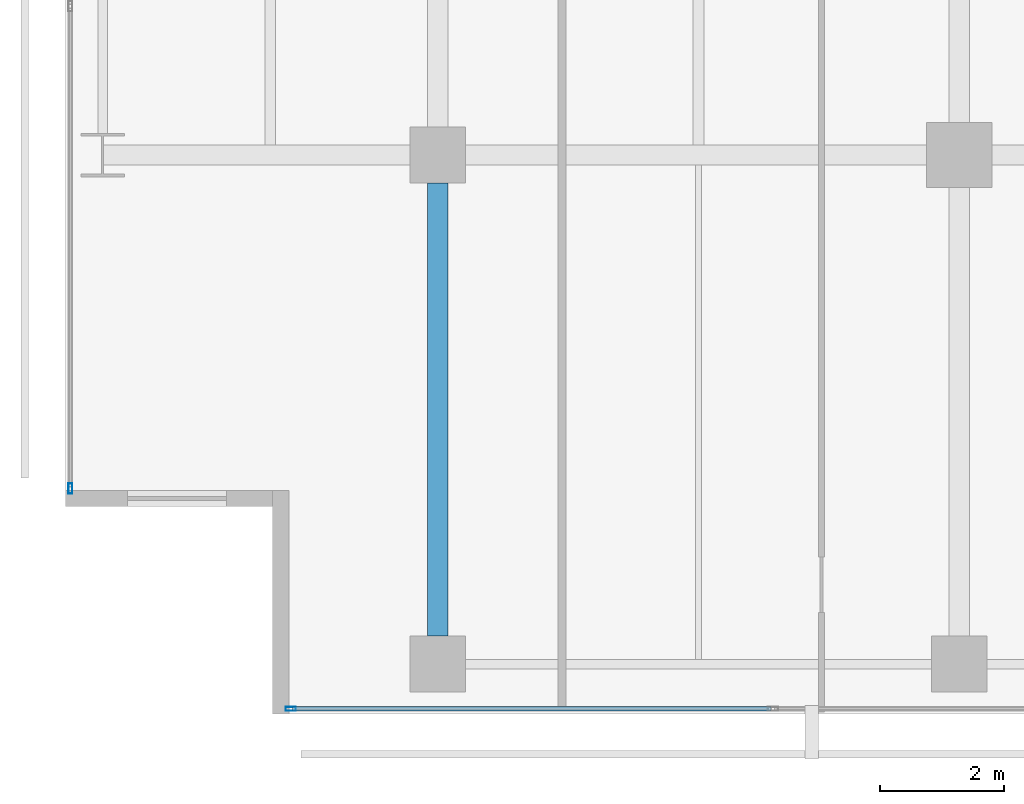
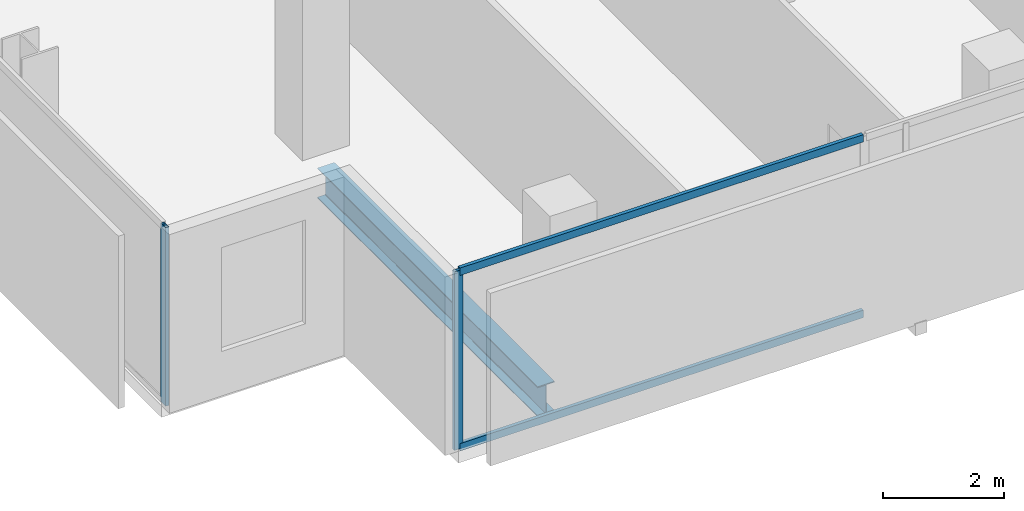
# One storey, part 2 of 40: 4 members, 1 beam, 2 elements without a shape of their own.
"""IFC4 building model written with IfcOpenShell, lengths in metres."""

from ifc_helpers import new_model, si_unit, direction, frame, origin, origin_2d, place, context, subcontext, project, spatial, hollow_rectangle, i_section, extrude, material, layer, layer_set, material_profile, profile_set, type_object, element, aggregate, save


model = new_model("IFC4")

# Units and contexts
model_context = context("Model", 3, precision=1e-05, world=origin(), true_north=direction((0.0, 1.0)))
body_context = subcontext(model_context, "Body", "Model", "MODEL_VIEW")
ifc_project = project(units=[si_unit("LENGTHUNIT", "METRE"), si_unit("AREAUNIT", "SQUARE_METRE"), si_unit("VOLUMEUNIT", "CUBIC_METRE"), si_unit("PLANEANGLEUNIT", "RADIAN"), si_unit("MASSUNIT", "GRAM", prefix="KILO")], contexts=[model_context])

# Site, building, storey
site_placement = place(None, origin())
site = spatial("IfcSite", under=ifc_project, at=site_placement, CompositionType="ELEMENT")
building_placement = place(site_placement, origin())
building = spatial("IfcBuilding", under=site, at=building_placement, Name="Maruvema Waterfront Hotel and Observation Tower", CompositionType="ELEMENT")
storey_placement = place(building_placement, frame((0.0, 0.0, 100.10009765625)))
storey = spatial("IfcBuildingStorey", under=building, at=storey_placement, Name="L24", CompositionType="ELEMENT", Elevation=100.10009765625)

# Curtain wall, members
ifc_material_1 = material(Name="Anodised bronze aluminium and solar-control low-E IGU", Category="aluminium")
ifc_layer = layer(ifc_material_1, 0.159912109375, Name="Zone 1 Bronze Inner Thermal Curtain Wall System CW-02")
ifc_layer_set = layer_set([ifc_layer], Name="Anodised bronze aluminium and solar-control low-E IGU")
curtain_wall_type = type_object("IfcCurtainWallType", Name="Zone 1 Bronze Inner Thermal Curtain Wall System CW-02", PredefinedType="USERDEFINED", material=ifc_layer_set)
curtain_wall_1_placement = place(storey_placement, origin())
curtain_wall_1 = element("IfcCurtainWall", 1, at=curtain_wall_1_placement, inside=storey, type_object=curtain_wall_type, Name="L24 Curtain Wall CW-L24-S", ObjectType="UNITISED CURTAIN WALL", PredefinedType="USERDEFINED")
ifc_material_2 = material(Name="Anodised architectural bronze aluminium", Category="aluminium")
ifc_material_profile_1 = material_profile(ifc_material_2, hollow_rectangle(XDim=0.070068359375, YDim=0.14990234375, WallThickness=0.00390625, at=origin_2d()), Name="ALU-T70x150")
ifc_profile_set_1 = profile_set([ifc_material_profile_1], Name="Anodised architectural bronze aluminium")
member_type_1 = type_object("IfcMemberType", Name="Curtain Wall Horizontal Transom ALU-T70x150", PredefinedType="USERDEFINED", material=ifc_profile_set_1)
member_1_placement = place(storey_placement, frame((14.4599609375, 0.080078125, 0.02978515625), z_axis=(1.0, 0.0, 0.0), x_axis=(0.0, 1.0, 0.0)))
member_1 = element("IfcMember", 2, at=member_1_placement, type_object=member_type_1, Name="CW-02 transom 1.1", ObjectType="TRANSOM", PredefinedType="USERDEFINED", context=body_context, shape_type="SweptSolid", body=[
    extrude(hollow_rectangle(XDim=0.070068359375, YDim=0.14990234375, WallThickness=0.00390625, at=origin_2d()), origin(), (0.0, 0.0, 1.0), 7.7099609375),
])
member_2_placement = place(storey_placement, frame((14.4599609375, 0.080078125, 3.579833984375), z_axis=(1.0, 0.0, 0.0), x_axis=(0.0, 1.0, 0.0)))
member_2 = element("IfcMember", 3, at=member_2_placement, type_object=member_type_1, Name="CW-02 transom 1.2", ObjectType="TRANSOM", PredefinedType="USERDEFINED", context=body_context, shape_type="SweptSolid", body=[
    extrude(hollow_rectangle(XDim=0.070068359375, YDim=0.14990234375, WallThickness=0.00390625, at=origin_2d()), origin(), (0.0, 0.0, 1.0), 7.7099609375),
])
ifc_material_3 = material(Name="Anodised architectural bronze aluminium", Category="aluminium")
ifc_material_profile_2 = material_profile(ifc_material_3, hollow_rectangle(XDim=0.06494140625, YDim=0.1650390625, WallThickness=0.00390625, at=origin_2d()), Name="ALU-M65x165")
ifc_profile_set_2 = profile_set([ifc_material_profile_2], Name="Anodised architectural bronze aluminium")
member_type_2 = type_object("IfcMemberType", Name="Curtain Wall Primary Mullion ALU-M65x165", PredefinedType="MULLION", material=ifc_profile_set_2)
member_3_placement = place(storey_placement, frame((14.429931640625, 0.080078125, 0.0), z_axis=(0.0, 0.0, 1.0), x_axis=(0.0, 1.0, 0.0)))
member_3 = element("IfcMember", 4, at=member_3_placement, type_object=member_type_2, Name="CW-02 mullion 1", PredefinedType="MULLION", context=body_context, shape_type="SweptSolid", body=[
    extrude(hollow_rectangle(XDim=0.06494140625, YDim=0.1650390625, WallThickness=0.00390625, at=origin_2d()), origin(), (0.0, 0.0, 1.0), 3.60986328125),
])
aggregate(curtain_wall_1, [member_3, member_1, member_2])

# Curtain wall, member
curtain_wall_2_placement = place(storey_placement, origin())
curtain_wall_2 = element("IfcCurtainWall", 5, at=curtain_wall_2_placement, inside=storey, type_object=curtain_wall_type, Name="L24 Curtain Wall CW-L24-W", ObjectType="UNITISED CURTAIN WALL", PredefinedType="USERDEFINED")
member_4_placement = place(storey_placement, frame((10.8798828125, 3.6298828125, 0.0), z_axis=(0.0, 0.0, 1.0), x_axis=(1.0, 0.0, 0.0)))
member_4 = element("IfcMember", 6, at=member_4_placement, type_object=member_type_2, Name="CW-02 mullion 7", PredefinedType="MULLION", context=body_context, shape_type="SweptSolid", body=[
    extrude(hollow_rectangle(XDim=0.06494140625, YDim=0.1650390625, WallThickness=0.00390625, at=origin_2d()), origin(), (0.0, 0.0, 1.0), 3.60986328125),
])
aggregate(curtain_wall_2, [member_4])

# Beam
ifc_material_4 = material(Name="Steel ASTM A572 Grade 50", Category="steel")
ifc_material_profile_3 = material_profile(ifc_material_4, i_section(OverallWidth=0.323974609375, OverallDepth=0.611083984375, WebThickness=0.0126953125, FlangeThickness=0.01904296875, FilletRadius=0.01806640625, at=origin_2d()), Name="W610x155.0")
ifc_profile_set_3 = profile_set([ifc_material_profile_3], Name="Steel ASTM A572 Grade 50")
beam_type = type_object("IfcBeamType", Name="Primary Floor Girder W610x155.0", PredefinedType="BEAM", material=ifc_profile_set_3)
beam_placement = place(storey_placement, frame((16.800048828125, 1.25, -0.545654296875), z_axis=(0.0, 1.0, 0.0), x_axis=(-1.0, 0.0, 0.0)))
element("IfcBeam", 7, at=beam_placement, inside=storey, type_object=beam_type, Name="L24 Floor Girder NS-05", PredefinedType="BEAM", context=body_context, shape_type="SweptSolid", body=[
    extrude(i_section(OverallWidth=0.323974609375, OverallDepth=0.611083984375, WebThickness=0.0126953125, FlangeThickness=0.01904296875, FilletRadius=0.01806640625, at=origin_2d()), origin(), (0.0, 0.0, 1.0), 7.300048828125),
])

save(model, "model.ifc")
